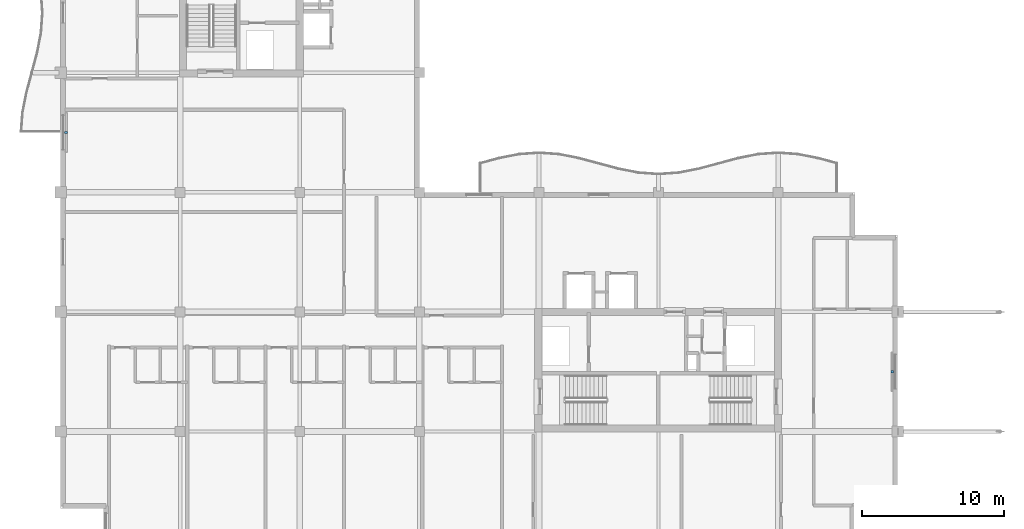
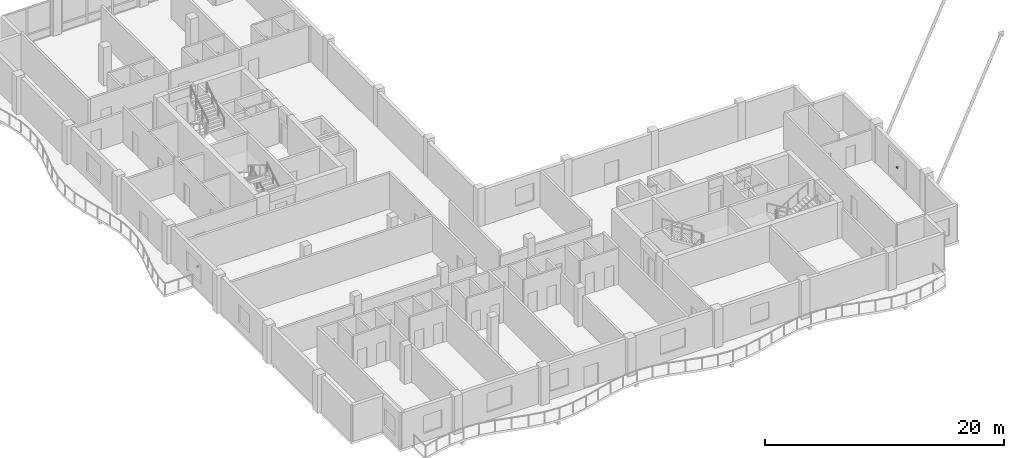
# One storey, part 13 of 17: 2 discrete accessories.
"""IFC4 building model written with IfcOpenShell, lengths in metres."""

from ifc_helpers import new_model, si_unit, direction, frame, origin, origin_2d, place, context, subcontext, project, spatial, rectangle, extrude, material, type_object, element, save


model = new_model("IFC4")

# Units and contexts
model_context = context("Model", 3, precision=1e-05, world=origin(), true_north=direction((0.0, 1.0)))
body_context = subcontext(model_context, "Body", "Model", "MODEL_VIEW")
ifc_project = project(units=[si_unit("LENGTHUNIT", "METRE"), si_unit("AREAUNIT", "SQUARE_METRE"), si_unit("VOLUMEUNIT", "CUBIC_METRE"), si_unit("PLANEANGLEUNIT", "RADIAN"), si_unit("MASSUNIT", "GRAM", prefix="KILO")], contexts=[model_context])

# Site, building, storey
site_placement = place(None, origin())
site = spatial("IfcSite", under=ifc_project, at=site_placement, CompositionType="ELEMENT")
building_placement = place(site_placement, origin())
building = spatial("IfcBuilding", under=site, at=building_placement, Name="Koriwani Terraces Tower", CompositionType="ELEMENT")
storey_placement = place(building_placement, frame((0.0, 0.0, 347.60009765625)))
storey = spatial("IfcBuildingStorey", under=building, at=storey_placement, Name="L86", CompositionType="ELEMENT", Elevation=347.60009765625)

# Discrete accessories
ifc_material = material(Name="Steel ASTM A572 Grade 50", Category="steel")
discrete_accessory_type = type_object("IfcDiscreteAccessoryType", Name="BAGUETTE_STANDOFF_BRACKET", PredefinedType="BRACKET", material=ifc_material)
for number, where, z_axis, x_axis, name in (
    (1, (8.7900390625, 37.800048828125, 1.7451171875), (0.0, 0.0, 1.0), (0.0, 1.0, 0.0), "L86 Terracotta Baguette Bracket (W-9)"),
    (2, (66.81005859375, 21.0, 1.7451171875), (0.0, 0.0, 1.0), (0.0, -1.0, 0.0), "L86 Terracotta Baguette Bracket (E_TIP-3)"),
):
    element("IfcDiscreteAccessory", number, at=place(storey_placement, frame(where, z_axis=z_axis, x_axis=x_axis)), inside=storey, type_object=discrete_accessory_type, Name=name, PredefinedType="BRACKET", context=body_context, shape_type="SweptSolid", body=[
        extrude(rectangle(XDim=0.159912109375, YDim=0.199951171875, at=origin_2d()), origin(), (0.0, 0.0, 1.0), 0.179931640625),
    ])

save(model, "model.ifc")
